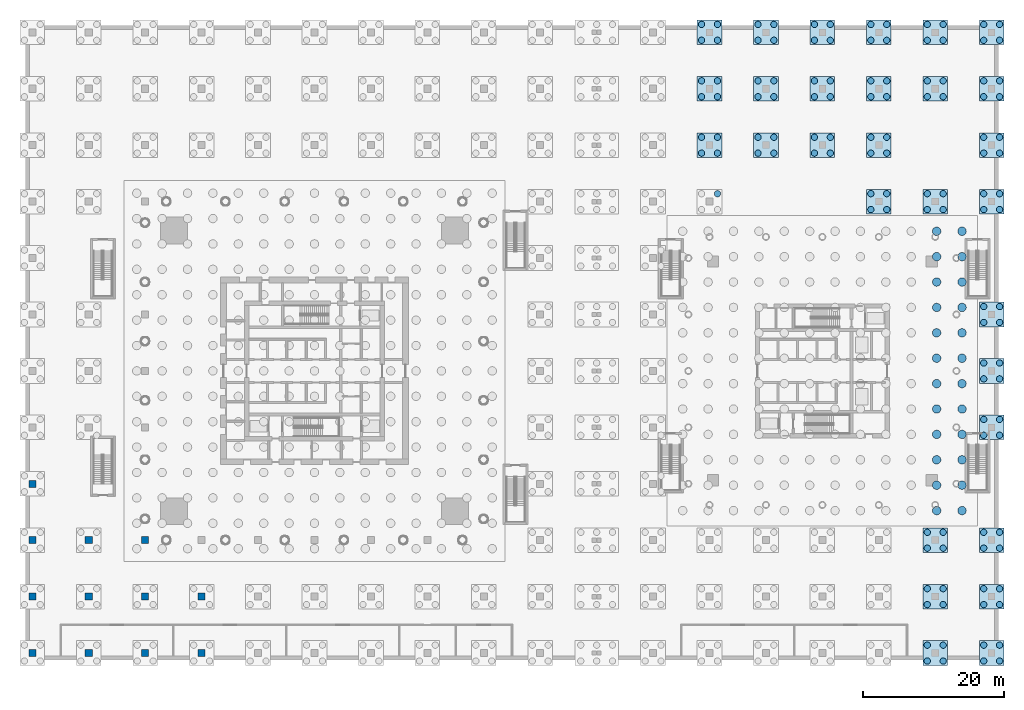
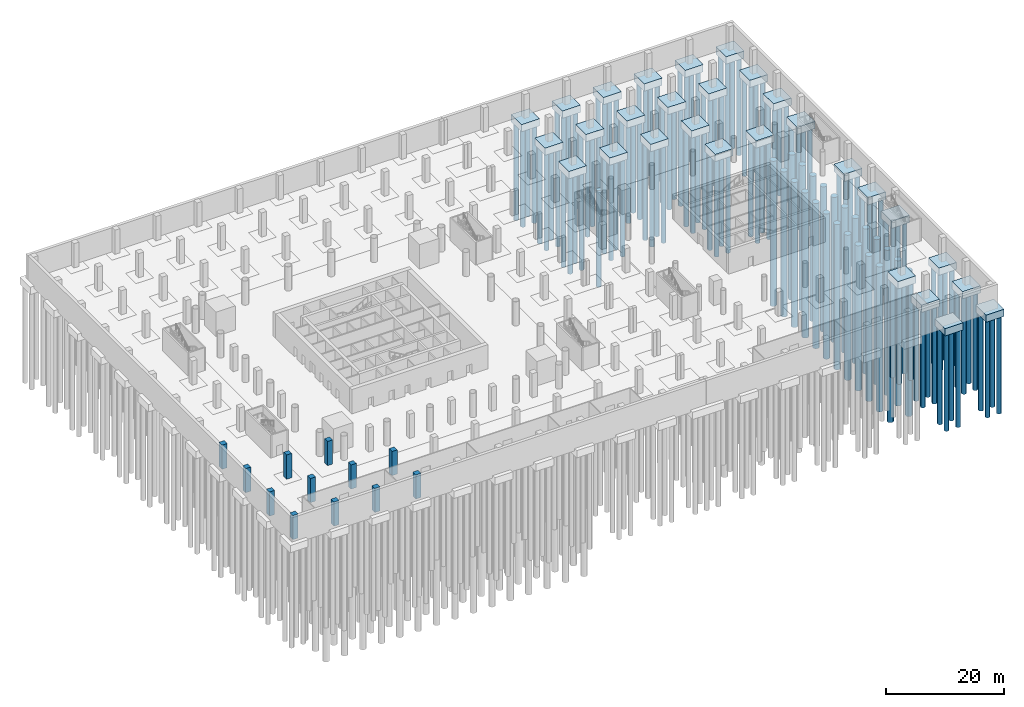
# One storey, part 4 of 24: 141 piles, 29 footings, 12 columns.
"""IFC4 building model written with IfcOpenShell, lengths in metres."""

from ifc_helpers import new_model, si_unit, direction, frame, origin, origin_2d, place, context, subcontext, project, spatial, rectangle, circle, extrude, material, layer, layer_set, material_profile, profile_set, type_object, element, save


model = new_model("IFC4")

# Units and contexts
model_context = context("Model", 3, precision=1e-05, world=origin(), true_north=direction((0.0, 1.0)))
body_context = subcontext(model_context, "Body", "Model", "MODEL_VIEW")
ifc_project = project(units=[si_unit("LENGTHUNIT", "METRE"), si_unit("AREAUNIT", "SQUARE_METRE"), si_unit("VOLUMEUNIT", "CUBIC_METRE"), si_unit("PLANEANGLEUNIT", "RADIAN"), si_unit("MASSUNIT", "GRAM", prefix="KILO")], contexts=[model_context])

# Site, building, storey
site_placement = place(None, origin())
site = spatial("IfcSite", under=ifc_project, at=site_placement, CompositionType="ELEMENT")
building_placement = place(site_placement, origin())
building = spatial("IfcBuilding", under=site, at=building_placement, Name="Ostroluk Exchange", CompositionType="ELEMENT")
storey_placement = place(building_placement, frame((0.0, 0.0, -10.0)))
storey = spatial("IfcBuildingStorey", under=building, at=storey_placement, Name="B2", CompositionType="ELEMENT", Elevation=-10.0)

# Piles
ifc_material_1 = material(Name="Concrete C30/37", Category="concrete")
pile_type_1 = type_object("IfcPileType", Name="Bored pile 1200 x 30 m", PredefinedType="BORED", material=ifc_material_1)
for number, where, z_axis, x_axis, name in (
    (1, (133.199951171875, 26.199951171875, -3.0), (0.0, 0.0, -1.0), (1.0, 0.0, 0.0), "Hotel tower raft pile 11.1"),
    (2, (133.199951171875, 29.800048828125, -3.0), (0.0, 0.0, -1.0), (1.0, 0.0, 0.0), "Hotel tower raft pile 11.2"),
    (3, (133.199951171875, 33.39990234375, -3.0), (0.0, 0.0, -1.0), (1.0, 0.0, 0.0), "Hotel tower raft pile 11.3"),
    (4, (133.199951171875, 37.0, -3.0), (0.0, 0.0, -1.0), (1.0, 0.0, 0.0), "Hotel tower raft pile 11.4"),
    (5, (133.199951171875, 40.60009765625, -3.0), (0.0, 0.0, -1.0), (1.0, 0.0, 0.0), "Hotel tower raft pile 11.5"),
    (6, (133.199951171875, 44.199951171875, -3.0), (0.0, 0.0, -1.0), (1.0, 0.0, 0.0), "Hotel tower raft pile 11.6"),
    (7, (133.199951171875, 47.800048828125, -3.0), (0.0, 0.0, -1.0), (1.0, 0.0, 0.0), "Hotel tower raft pile 11.7"),
    (8, (133.199951171875, 51.39990234375, -3.0), (0.0, 0.0, -1.0), (1.0, 0.0, 0.0), "Hotel tower raft pile 11.8"),
    (9, (133.199951171875, 55.0, -3.0), (0.0, 0.0, -1.0), (1.0, 0.0, 0.0), "Hotel tower raft pile 11.9"),
    (10, (133.199951171875, 58.60009765625, -3.0), (0.0, 0.0, -1.0), (1.0, 0.0, 0.0), "Hotel tower raft pile 11.10"),
    (11, (133.199951171875, 62.199951171875, -3.0), (0.0, 0.0, -1.0), (1.0, 0.0, 0.0), "Hotel tower raft pile 11.11"),
    (12, (133.199951171875, 65.800048828125, -3.0), (0.0, 0.0, -1.0), (1.0, 0.0, 0.0), "Hotel tower raft pile 11.12"),
    (13, (136.800048828125, 26.199951171875, -3.0), (0.0, 0.0, -1.0), (1.0, 0.0, 0.0), "Hotel tower raft pile 12.1"),
    (14, (136.800048828125, 29.800048828125, -3.0), (0.0, 0.0, -1.0), (1.0, 0.0, 0.0), "Hotel tower raft pile 12.2"),
    (15, (136.800048828125, 33.39990234375, -3.0), (0.0, 0.0, -1.0), (1.0, 0.0, 0.0), "Hotel tower raft pile 12.3"),
    (16, (136.800048828125, 37.0, -3.0), (0.0, 0.0, -1.0), (1.0, 0.0, 0.0), "Hotel tower raft pile 12.4"),
    (17, (136.800048828125, 40.60009765625, -3.0), (0.0, 0.0, -1.0), (1.0, 0.0, 0.0), "Hotel tower raft pile 12.5"),
    (18, (136.800048828125, 44.199951171875, -3.0), (0.0, 0.0, -1.0), (1.0, 0.0, 0.0), "Hotel tower raft pile 12.6"),
    (19, (136.800048828125, 47.800048828125, -3.0), (0.0, 0.0, -1.0), (1.0, 0.0, 0.0), "Hotel tower raft pile 12.7"),
    (20, (136.800048828125, 51.39990234375, -3.0), (0.0, 0.0, -1.0), (1.0, 0.0, 0.0), "Hotel tower raft pile 12.8"),
    (21, (136.800048828125, 55.0, -3.0), (0.0, 0.0, -1.0), (1.0, 0.0, 0.0), "Hotel tower raft pile 12.9"),
    (22, (136.800048828125, 58.60009765625, -3.0), (0.0, 0.0, -1.0), (1.0, 0.0, 0.0), "Hotel tower raft pile 12.10"),
    (23, (136.800048828125, 62.199951171875, -3.0), (0.0, 0.0, -1.0), (1.0, 0.0, 0.0), "Hotel tower raft pile 12.11"),
    (24, (136.800048828125, 65.800048828125, -3.0), (0.0, 0.0, -1.0), (1.0, 0.0, 0.0), "Hotel tower raft pile 12.12"),
):
    element("IfcPile", number, at=place(storey_placement, frame(where, z_axis=z_axis, x_axis=x_axis)), inside=storey, type_object=pile_type_1, Name=name, PredefinedType="BORED", context=body_context, shape_type="SweptSolid", body=[
        extrude(circle(Radius=0.60009765625, at=origin_2d()), origin(), (0.0, 0.0, 1.0), 30.0),
    ])
ifc_material_2 = material(Name="Concrete C30/37", Category="concrete")
pile_type_2 = type_object("IfcPileType", Name="Bored pile 900 x 20 m", PredefinedType="BORED", material=ifc_material_2)
for number, where, z_axis, x_axis, name in (
    (25, (102.125, 71.125, -1.5), (0.0, 0.0, -1.0), (1.0, 0.0, 0.0), "Pile 101/70 3"),
    (26, (99.875, 76.875, -1.5), (0.0, 0.0, -1.0), (1.0, 0.0, 0.0), "Pile 101/78 1"),
    (27, (102.125, 76.875, -1.5), (0.0, 0.0, -1.0), (1.0, 0.0, 0.0), "Pile 101/78 2"),
    (28, (102.125, 79.125, -1.5), (0.0, 0.0, -1.0), (1.0, 0.0, 0.0), "Pile 101/78 3"),
    (29, (99.875, 79.125, -1.5), (0.0, 0.0, -1.0), (1.0, 0.0, 0.0), "Pile 101/78 4"),
    (30, (99.875, 84.875, -1.5), (0.0, 0.0, -1.0), (1.0, 0.0, 0.0), "Pile 101/86 1"),
    (31, (102.125, 84.875, -1.5), (0.0, 0.0, -1.0), (1.0, 0.0, 0.0), "Pile 101/86 2"),
    (32, (102.125, 87.125, -1.5), (0.0, 0.0, -1.0), (1.0, 0.0, 0.0), "Pile 101/86 3"),
    (33, (99.875, 87.125, -1.5), (0.0, 0.0, -1.0), (1.0, 0.0, 0.0), "Pile 101/86 4"),
    (34, (99.875, 92.875, -1.5), (0.0, 0.0, -1.0), (1.0, 0.0, 0.0), "Pile 101/94 1"),
    (35, (102.125, 92.875, -1.5), (0.0, 0.0, -1.0), (1.0, 0.0, 0.0), "Pile 101/94 2"),
    (36, (102.125, 95.125, -1.5), (0.0, 0.0, -1.0), (1.0, 0.0, 0.0), "Pile 101/94 3"),
    (37, (99.875, 95.125, -1.5), (0.0, 0.0, -1.0), (1.0, 0.0, 0.0), "Pile 101/94 4"),
    (38, (107.875, 76.875, -1.5), (0.0, 0.0, -1.0), (1.0, 0.0, 0.0), "Pile 109/78 1"),
    (39, (110.125, 76.875, -1.5), (0.0, 0.0, -1.0), (1.0, 0.0, 0.0), "Pile 109/78 2"),
    (40, (110.125, 79.125, -1.5), (0.0, 0.0, -1.0), (1.0, 0.0, 0.0), "Pile 109/78 3"),
    (41, (107.875, 79.125, -1.5), (0.0, 0.0, -1.0), (1.0, 0.0, 0.0), "Pile 109/78 4"),
    (42, (107.875, 84.875, -1.5), (0.0, 0.0, -1.0), (1.0, 0.0, 0.0), "Pile 109/86 1"),
    (43, (110.125, 84.875, -1.5), (0.0, 0.0, -1.0), (1.0, 0.0, 0.0), "Pile 109/86 2"),
    (44, (110.125, 87.125, -1.5), (0.0, 0.0, -1.0), (1.0, 0.0, 0.0), "Pile 109/86 3"),
    (45, (107.875, 87.125, -1.5), (0.0, 0.0, -1.0), (1.0, 0.0, 0.0), "Pile 109/86 4"),
    (46, (107.875, 92.875, -1.5), (0.0, 0.0, -1.0), (1.0, 0.0, 0.0), "Pile 109/94 1"),
    (47, (110.125, 92.875, -1.5), (0.0, 0.0, -1.0), (1.0, 0.0, 0.0), "Pile 109/94 2"),
    (48, (110.125, 95.125, -1.5), (0.0, 0.0, -1.0), (1.0, 0.0, 0.0), "Pile 109/94 3"),
    (49, (107.875, 95.125, -1.5), (0.0, 0.0, -1.0), (1.0, 0.0, 0.0), "Pile 109/94 4"),
    (50, (115.875, 76.875, -1.5), (0.0, 0.0, -1.0), (1.0, 0.0, 0.0), "Pile 117/78 1"),
    (51, (118.125, 76.875, -1.5), (0.0, 0.0, -1.0), (1.0, 0.0, 0.0), "Pile 117/78 2"),
    (52, (118.125, 79.125, -1.5), (0.0, 0.0, -1.0), (1.0, 0.0, 0.0), "Pile 117/78 3"),
    (53, (115.875, 79.125, -1.5), (0.0, 0.0, -1.0), (1.0, 0.0, 0.0), "Pile 117/78 4"),
    (54, (115.875, 84.875, -1.5), (0.0, 0.0, -1.0), (1.0, 0.0, 0.0), "Pile 117/86 1"),
    (55, (118.125, 84.875, -1.5), (0.0, 0.0, -1.0), (1.0, 0.0, 0.0), "Pile 117/86 2"),
    (56, (118.125, 87.125, -1.5), (0.0, 0.0, -1.0), (1.0, 0.0, 0.0), "Pile 117/86 3"),
    (57, (115.875, 87.125, -1.5), (0.0, 0.0, -1.0), (1.0, 0.0, 0.0), "Pile 117/86 4"),
    (58, (115.875, 92.875, -1.5), (0.0, 0.0, -1.0), (1.0, 0.0, 0.0), "Pile 117/94 1"),
    (59, (118.125, 92.875, -1.5), (0.0, 0.0, -1.0), (1.0, 0.0, 0.0), "Pile 117/94 2"),
    (60, (118.125, 95.125, -1.5), (0.0, 0.0, -1.0), (1.0, 0.0, 0.0), "Pile 117/94 3"),
    (61, (115.875, 95.125, -1.5), (0.0, 0.0, -1.0), (1.0, 0.0, 0.0), "Pile 117/94 4"),
    (62, (123.875, 68.875, -1.5), (0.0, 0.0, -1.0), (1.0, 0.0, 0.0), "Pile 125/70 1"),
    (63, (126.125, 68.875, -1.5), (0.0, 0.0, -1.0), (1.0, 0.0, 0.0), "Pile 125/70 2"),
    (64, (126.125, 71.125, -1.5), (0.0, 0.0, -1.0), (1.0, 0.0, 0.0), "Pile 125/70 3"),
    (65, (123.875, 71.125, -1.5), (0.0, 0.0, -1.0), (1.0, 0.0, 0.0), "Pile 125/70 4"),
    (66, (123.875, 76.875, -1.5), (0.0, 0.0, -1.0), (1.0, 0.0, 0.0), "Pile 125/78 1"),
    (67, (126.125, 76.875, -1.5), (0.0, 0.0, -1.0), (1.0, 0.0, 0.0), "Pile 125/78 2"),
    (68, (126.125, 79.125, -1.5), (0.0, 0.0, -1.0), (1.0, 0.0, 0.0), "Pile 125/78 3"),
    (69, (123.875, 79.125, -1.5), (0.0, 0.0, -1.0), (1.0, 0.0, 0.0), "Pile 125/78 4"),
    (70, (123.875, 84.875, -1.5), (0.0, 0.0, -1.0), (1.0, 0.0, 0.0), "Pile 125/86 1"),
    (71, (126.125, 84.875, -1.5), (0.0, 0.0, -1.0), (1.0, 0.0, 0.0), "Pile 125/86 2"),
    (72, (126.125, 87.125, -1.5), (0.0, 0.0, -1.0), (1.0, 0.0, 0.0), "Pile 125/86 3"),
    (73, (123.875, 87.125, -1.5), (0.0, 0.0, -1.0), (1.0, 0.0, 0.0), "Pile 125/86 4"),
    (74, (123.875, 92.875, -1.5), (0.0, 0.0, -1.0), (1.0, 0.0, 0.0), "Pile 125/94 1"),
    (75, (126.125, 92.875, -1.5), (0.0, 0.0, -1.0), (1.0, 0.0, 0.0), "Pile 125/94 2"),
    (76, (126.125, 95.125, -1.5), (0.0, 0.0, -1.0), (1.0, 0.0, 0.0), "Pile 125/94 3"),
    (77, (123.875, 95.125, -1.5), (0.0, 0.0, -1.0), (1.0, 0.0, 0.0), "Pile 125/94 4"),
    (78, (131.875, 4.875, -1.5), (0.0, 0.0, -1.0), (1.0, 0.0, 0.0), "Pile 133/6 1"),
    (79, (134.125, 4.875, -1.5), (0.0, 0.0, -1.0), (1.0, 0.0, 0.0), "Pile 133/6 2"),
    (80, (134.125, 7.125, -1.5), (0.0, 0.0, -1.0), (1.0, 0.0, 0.0), "Pile 133/6 3"),
    (81, (131.875, 7.125, -1.5), (0.0, 0.0, -1.0), (1.0, 0.0, 0.0), "Pile 133/6 4"),
    (82, (131.875, 12.875, -1.5), (0.0, 0.0, -1.0), (1.0, 0.0, 0.0), "Pile 133/14 1"),
    (83, (134.125, 12.875, -1.5), (0.0, 0.0, -1.0), (1.0, 0.0, 0.0), "Pile 133/14 2"),
    (84, (134.125, 15.125, -1.5), (0.0, 0.0, -1.0), (1.0, 0.0, 0.0), "Pile 133/14 3"),
    (85, (131.875, 15.125, -1.5), (0.0, 0.0, -1.0), (1.0, 0.0, 0.0), "Pile 133/14 4"),
    (86, (131.875, 20.875, -1.5), (0.0, 0.0, -1.0), (1.0, 0.0, 0.0), "Pile 133/22 1"),
    (87, (134.125, 20.875, -1.5), (0.0, 0.0, -1.0), (1.0, 0.0, 0.0), "Pile 133/22 2"),
    (88, (134.125, 23.125, -1.5), (0.0, 0.0, -1.0), (1.0, 0.0, 0.0), "Pile 133/22 3"),
    (89, (131.875, 23.125, -1.5), (0.0, 0.0, -1.0), (1.0, 0.0, 0.0), "Pile 133/22 4"),
    (90, (131.875, 68.875, -1.5), (0.0, 0.0, -1.0), (1.0, 0.0, 0.0), "Pile 133/70 1"),
    (91, (134.125, 68.875, -1.5), (0.0, 0.0, -1.0), (1.0, 0.0, 0.0), "Pile 133/70 2"),
    (92, (134.125, 71.125, -1.5), (0.0, 0.0, -1.0), (1.0, 0.0, 0.0), "Pile 133/70 3"),
    (93, (131.875, 71.125, -1.5), (0.0, 0.0, -1.0), (1.0, 0.0, 0.0), "Pile 133/70 4"),
    (94, (131.875, 84.875, -1.5), (0.0, 0.0, -1.0), (1.0, 0.0, 0.0), "Pile 133/86 1"),
    (95, (134.125, 84.875, -1.5), (0.0, 0.0, -1.0), (1.0, 0.0, 0.0), "Pile 133/86 2"),
    (96, (134.125, 87.125, -1.5), (0.0, 0.0, -1.0), (1.0, 0.0, 0.0), "Pile 133/86 3"),
    (97, (131.875, 87.125, -1.5), (0.0, 0.0, -1.0), (1.0, 0.0, 0.0), "Pile 133/86 4"),
    (98, (131.875, 92.875, -1.5), (0.0, 0.0, -1.0), (1.0, 0.0, 0.0), "Pile 133/94 1"),
    (99, (134.125, 92.875, -1.5), (0.0, 0.0, -1.0), (1.0, 0.0, 0.0), "Pile 133/94 2"),
    (100, (134.125, 95.125, -1.5), (0.0, 0.0, -1.0), (1.0, 0.0, 0.0), "Pile 133/94 3"),
    (101, (131.875, 95.125, -1.5), (0.0, 0.0, -1.0), (1.0, 0.0, 0.0), "Pile 133/94 4"),
    (102, (139.875, 4.875, -1.5), (0.0, 0.0, -1.0), (1.0, 0.0, 0.0), "Pile 141/6 1"),
    (103, (142.125, 4.875, -1.5), (0.0, 0.0, -1.0), (1.0, 0.0, 0.0), "Pile 141/6 2"),
    (104, (142.125, 7.125, -1.5), (0.0, 0.0, -1.0), (1.0, 0.0, 0.0), "Pile 141/6 3"),
    (105, (139.875, 7.125, -1.5), (0.0, 0.0, -1.0), (1.0, 0.0, 0.0), "Pile 141/6 4"),
    (106, (139.875, 12.875, -1.5), (0.0, 0.0, -1.0), (1.0, 0.0, 0.0), "Pile 141/14 1"),
    (107, (142.125, 12.875, -1.5), (0.0, 0.0, -1.0), (1.0, 0.0, 0.0), "Pile 141/14 2"),
    (108, (142.125, 15.125, -1.5), (0.0, 0.0, -1.0), (1.0, 0.0, 0.0), "Pile 141/14 3"),
    (109, (139.875, 15.125, -1.5), (0.0, 0.0, -1.0), (1.0, 0.0, 0.0), "Pile 141/14 4"),
    (110, (139.875, 20.875, -1.5), (0.0, 0.0, -1.0), (1.0, 0.0, 0.0), "Pile 141/22 1"),
    (111, (142.125, 20.875, -1.5), (0.0, 0.0, -1.0), (1.0, 0.0, 0.0), "Pile 141/22 2"),
    (112, (142.125, 23.125, -1.5), (0.0, 0.0, -1.0), (1.0, 0.0, 0.0), "Pile 141/22 3"),
    (113, (139.875, 23.125, -1.5), (0.0, 0.0, -1.0), (1.0, 0.0, 0.0), "Pile 141/22 4"),
    (114, (139.875, 36.875, -1.5), (0.0, 0.0, -1.0), (1.0, 0.0, 0.0), "Pile 141/38 1"),
    (115, (142.125, 36.875, -1.5), (0.0, 0.0, -1.0), (1.0, 0.0, 0.0), "Pile 141/38 2"),
    (116, (142.125, 39.125, -1.5), (0.0, 0.0, -1.0), (1.0, 0.0, 0.0), "Pile 141/38 3"),
    (117, (139.875, 39.125, -1.5), (0.0, 0.0, -1.0), (1.0, 0.0, 0.0), "Pile 141/38 4"),
    (118, (139.875, 44.875, -1.5), (0.0, 0.0, -1.0), (1.0, 0.0, 0.0), "Pile 141/46 1"),
    (119, (142.125, 44.875, -1.5), (0.0, 0.0, -1.0), (1.0, 0.0, 0.0), "Pile 141/46 2"),
    (120, (142.125, 47.125, -1.5), (0.0, 0.0, -1.0), (1.0, 0.0, 0.0), "Pile 141/46 3"),
    (121, (139.875, 47.125, -1.5), (0.0, 0.0, -1.0), (1.0, 0.0, 0.0), "Pile 141/46 4"),
    (122, (139.875, 52.875, -1.5), (0.0, 0.0, -1.0), (1.0, 0.0, 0.0), "Pile 141/54 1"),
    (123, (142.125, 52.875, -1.5), (0.0, 0.0, -1.0), (1.0, 0.0, 0.0), "Pile 141/54 2"),
    (124, (142.125, 55.125, -1.5), (0.0, 0.0, -1.0), (1.0, 0.0, 0.0), "Pile 141/54 3"),
    (125, (139.875, 55.125, -1.5), (0.0, 0.0, -1.0), (1.0, 0.0, 0.0), "Pile 141/54 4"),
    (126, (139.875, 68.875, -1.5), (0.0, 0.0, -1.0), (1.0, 0.0, 0.0), "Pile 141/70 1"),
    (127, (142.125, 68.875, -1.5), (0.0, 0.0, -1.0), (1.0, 0.0, 0.0), "Pile 141/70 2"),
    (128, (142.125, 71.125, -1.5), (0.0, 0.0, -1.0), (1.0, 0.0, 0.0), "Pile 141/70 3"),
    (129, (139.875, 71.125, -1.5), (0.0, 0.0, -1.0), (1.0, 0.0, 0.0), "Pile 141/70 4"),
    (130, (139.875, 76.875, -1.5), (0.0, 0.0, -1.0), (1.0, 0.0, 0.0), "Pile 141/78 1"),
    (131, (142.125, 76.875, -1.5), (0.0, 0.0, -1.0), (1.0, 0.0, 0.0), "Pile 141/78 2"),
    (132, (142.125, 79.125, -1.5), (0.0, 0.0, -1.0), (1.0, 0.0, 0.0), "Pile 141/78 3"),
    (133, (139.875, 79.125, -1.5), (0.0, 0.0, -1.0), (1.0, 0.0, 0.0), "Pile 141/78 4"),
    (134, (139.875, 84.875, -1.5), (0.0, 0.0, -1.0), (1.0, 0.0, 0.0), "Pile 141/86 1"),
    (135, (142.125, 84.875, -1.5), (0.0, 0.0, -1.0), (1.0, 0.0, 0.0), "Pile 141/86 2"),
    (136, (142.125, 87.125, -1.5), (0.0, 0.0, -1.0), (1.0, 0.0, 0.0), "Pile 141/86 3"),
    (137, (139.875, 87.125, -1.5), (0.0, 0.0, -1.0), (1.0, 0.0, 0.0), "Pile 141/86 4"),
    (138, (139.875, 92.875, -1.5), (0.0, 0.0, -1.0), (1.0, 0.0, 0.0), "Pile 141/94 1"),
    (139, (142.125, 92.875, -1.5), (0.0, 0.0, -1.0), (1.0, 0.0, 0.0), "Pile 141/94 2"),
    (140, (142.125, 95.125, -1.5), (0.0, 0.0, -1.0), (1.0, 0.0, 0.0), "Pile 141/94 3"),
    (141, (139.875, 95.125, -1.5), (0.0, 0.0, -1.0), (1.0, 0.0, 0.0), "Pile 141/94 4"),
):
    element("IfcPile", number, at=place(storey_placement, frame(where, z_axis=z_axis, x_axis=x_axis)), inside=storey, type_object=pile_type_2, Name=name, PredefinedType="BORED", context=body_context, shape_type="SweptSolid", body=[
        extrude(circle(Radius=0.449951171875, at=origin_2d()), origin(), (0.0, 0.0, 1.0), 20.0),
    ])

# Footings
ifc_material_3 = material(Name="Concrete C40/50", Category="concrete")
ifc_layer = layer(ifc_material_3, 1.5)
ifc_layer_set = layer_set([ifc_layer], Name="Pile cap 3500 x 3500 x 1500")
footing_type = type_object("IfcFootingType", Name="Pile cap 3500 x 3500 x 1500", PredefinedType="PILE_CAP", material=ifc_layer_set)
for number, where, z_axis, x_axis, name in (
    (142, (101.0, 78.0, -1.5), (0.0, 0.0, 1.0), (1.0, 0.0, 0.0), "Pile cap 101/78"),
    (143, (101.0, 86.0, -1.5), (0.0, 0.0, 1.0), (1.0, 0.0, 0.0), "Pile cap 101/86"),
    (144, (101.0, 94.0, -1.5), (0.0, 0.0, 1.0), (1.0, 0.0, 0.0), "Pile cap 101/94"),
    (145, (109.0, 78.0, -1.5), (0.0, 0.0, 1.0), (1.0, 0.0, 0.0), "Pile cap 109/78"),
    (146, (109.0, 86.0, -1.5), (0.0, 0.0, 1.0), (1.0, 0.0, 0.0), "Pile cap 109/86"),
    (147, (109.0, 94.0, -1.5), (0.0, 0.0, 1.0), (1.0, 0.0, 0.0), "Pile cap 109/94"),
    (148, (117.0, 78.0, -1.5), (0.0, 0.0, 1.0), (1.0, 0.0, 0.0), "Pile cap 117/78"),
    (149, (117.0, 86.0, -1.5), (0.0, 0.0, 1.0), (1.0, 0.0, 0.0), "Pile cap 117/86"),
    (150, (117.0, 94.0, -1.5), (0.0, 0.0, 1.0), (1.0, 0.0, 0.0), "Pile cap 117/94"),
    (151, (125.0, 70.0, -1.5), (0.0, 0.0, 1.0), (1.0, 0.0, 0.0), "Pile cap 125/70"),
    (152, (125.0, 78.0, -1.5), (0.0, 0.0, 1.0), (1.0, 0.0, 0.0), "Pile cap 125/78"),
    (153, (125.0, 86.0, -1.5), (0.0, 0.0, 1.0), (1.0, 0.0, 0.0), "Pile cap 125/86"),
    (154, (125.0, 94.0, -1.5), (0.0, 0.0, 1.0), (1.0, 0.0, 0.0), "Pile cap 125/94"),
    (155, (133.0, 6.0, -1.5), (0.0, 0.0, 1.0), (1.0, 0.0, 0.0), "Pile cap 133/6"),
    (156, (133.0, 14.0, -1.5), (0.0, 0.0, 1.0), (1.0, 0.0, 0.0), "Pile cap 133/14"),
    (157, (133.0, 22.0, -1.5), (0.0, 0.0, 1.0), (1.0, 0.0, 0.0), "Pile cap 133/22"),
    (158, (133.0, 70.0, -1.5), (0.0, 0.0, 1.0), (1.0, 0.0, 0.0), "Pile cap 133/70"),
    (159, (133.0, 86.0, -1.5), (0.0, 0.0, 1.0), (1.0, 0.0, 0.0), "Pile cap 133/86"),
    (160, (133.0, 94.0, -1.5), (0.0, 0.0, 1.0), (1.0, 0.0, 0.0), "Pile cap 133/94"),
    (161, (141.0, 6.0, -1.5), (0.0, 0.0, 1.0), (1.0, 0.0, 0.0), "Pile cap 141/6"),
    (162, (141.0, 14.0, -1.5), (0.0, 0.0, 1.0), (1.0, 0.0, 0.0), "Pile cap 141/14"),
    (163, (141.0, 22.0, -1.5), (0.0, 0.0, 1.0), (1.0, 0.0, 0.0), "Pile cap 141/22"),
    (164, (141.0, 38.0, -1.5), (0.0, 0.0, 1.0), (1.0, 0.0, 0.0), "Pile cap 141/38"),
    (165, (141.0, 46.0, -1.5), (0.0, 0.0, 1.0), (1.0, 0.0, 0.0), "Pile cap 141/46"),
    (166, (141.0, 54.0, -1.5), (0.0, 0.0, 1.0), (1.0, 0.0, 0.0), "Pile cap 141/54"),
    (167, (141.0, 70.0, -1.5), (0.0, 0.0, 1.0), (1.0, 0.0, 0.0), "Pile cap 141/70"),
    (168, (141.0, 78.0, -1.5), (0.0, 0.0, 1.0), (1.0, 0.0, 0.0), "Pile cap 141/78"),
    (169, (141.0, 86.0, -1.5), (0.0, 0.0, 1.0), (1.0, 0.0, 0.0), "Pile cap 141/86"),
    (170, (141.0, 94.0, -1.5), (0.0, 0.0, 1.0), (1.0, 0.0, 0.0), "Pile cap 141/94"),
):
    element("IfcFooting", number, at=place(storey_placement, frame(where, z_axis=z_axis, x_axis=x_axis)), inside=storey, type_object=footing_type, Name=name, PredefinedType="PILE_CAP", context=body_context, shape_type="SweptSolid", body=[
        extrude(rectangle(XDim=3.5, YDim=3.5, at=origin_2d()), origin(), (0.0, 0.0, 1.0), 1.5),
    ])

# Columns
ifc_material_4 = material(Name="Concrete C50/60", Category="concrete")
ifc_material_profile = material_profile(ifc_material_4, rectangle(XDim=1.0, YDim=1.0, at=origin_2d()), Name="RC 1000x1000")
ifc_profile_set = profile_set([ifc_material_profile], Name="Concrete C50/60")
column_type = type_object("IfcColumnType", Name="Podium column RC 1000x1000", PredefinedType="COLUMN", material=ifc_profile_set)
for number, where, z_axis, x_axis, name in (
    (171, (5.0, 6.0, 0.0), (0.0, 0.0, 1.0), (1.0, 0.0, 0.0), "Podium column 5/6"),
    (172, (5.0, 14.0, 0.0), (0.0, 0.0, 1.0), (1.0, 0.0, 0.0), "Podium column 5/14"),
    (173, (5.0, 22.0, 0.0), (0.0, 0.0, 1.0), (1.0, 0.0, 0.0), "Podium column 5/22"),
    (174, (5.0, 30.0, 0.0), (0.0, 0.0, 1.0), (1.0, 0.0, 0.0), "Podium column 5/30"),
    (175, (13.0, 6.0, 0.0), (0.0, 0.0, 1.0), (1.0, 0.0, 0.0), "Podium column 13/6"),
    (176, (13.0, 14.0, 0.0), (0.0, 0.0, 1.0), (1.0, 0.0, 0.0), "Podium column 13/14"),
    (177, (13.0, 22.0, 0.0), (0.0, 0.0, 1.0), (1.0, 0.0, 0.0), "Podium column 13/22"),
    (178, (21.0, 6.0, 0.0), (0.0, 0.0, 1.0), (1.0, 0.0, 0.0), "Podium column 21/6"),
    (179, (21.0, 14.0, 0.0), (0.0, 0.0, 1.0), (1.0, 0.0, 0.0), "Podium column 21/14"),
    (180, (29.0, 6.0, 0.0), (0.0, 0.0, 1.0), (1.0, 0.0, 0.0), "Podium column 29/6"),
    (181, (29.0, 14.0, 0.0), (0.0, 0.0, 1.0), (1.0, 0.0, 0.0), "Podium column 29/14"),
    (182, (21.0, 22.0, 0.0), (0.0, 0.0, 1.0), (1.0, 0.0, 0.0), "Podium column 21/22"),
):
    element("IfcColumn", number, at=place(storey_placement, frame(where, z_axis=z_axis, x_axis=x_axis)), inside=storey, type_object=column_type, Name=name, PredefinedType="COLUMN", context=body_context, shape_type="SweptSolid", body=[
        extrude(rectangle(XDim=1.0, YDim=1.0, at=origin_2d()), origin(), (0.0, 0.0, 1.0), 5.0),
    ])

save(model, "model.ifc")
